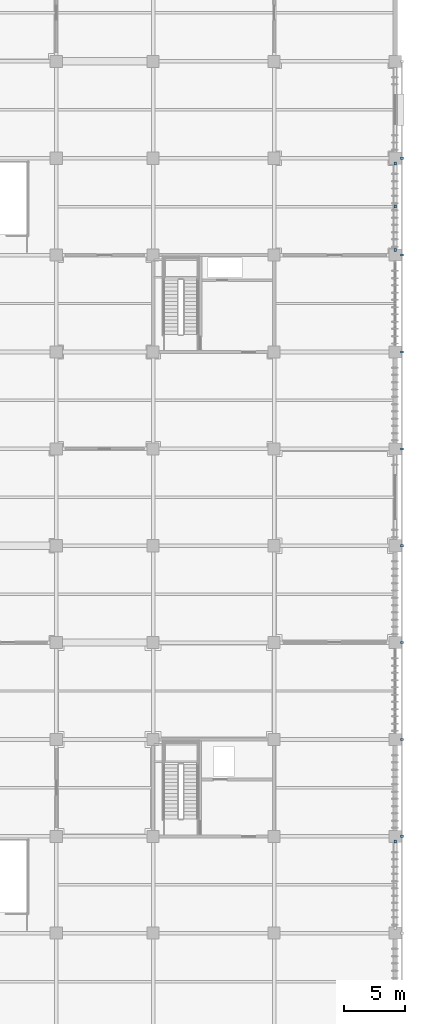
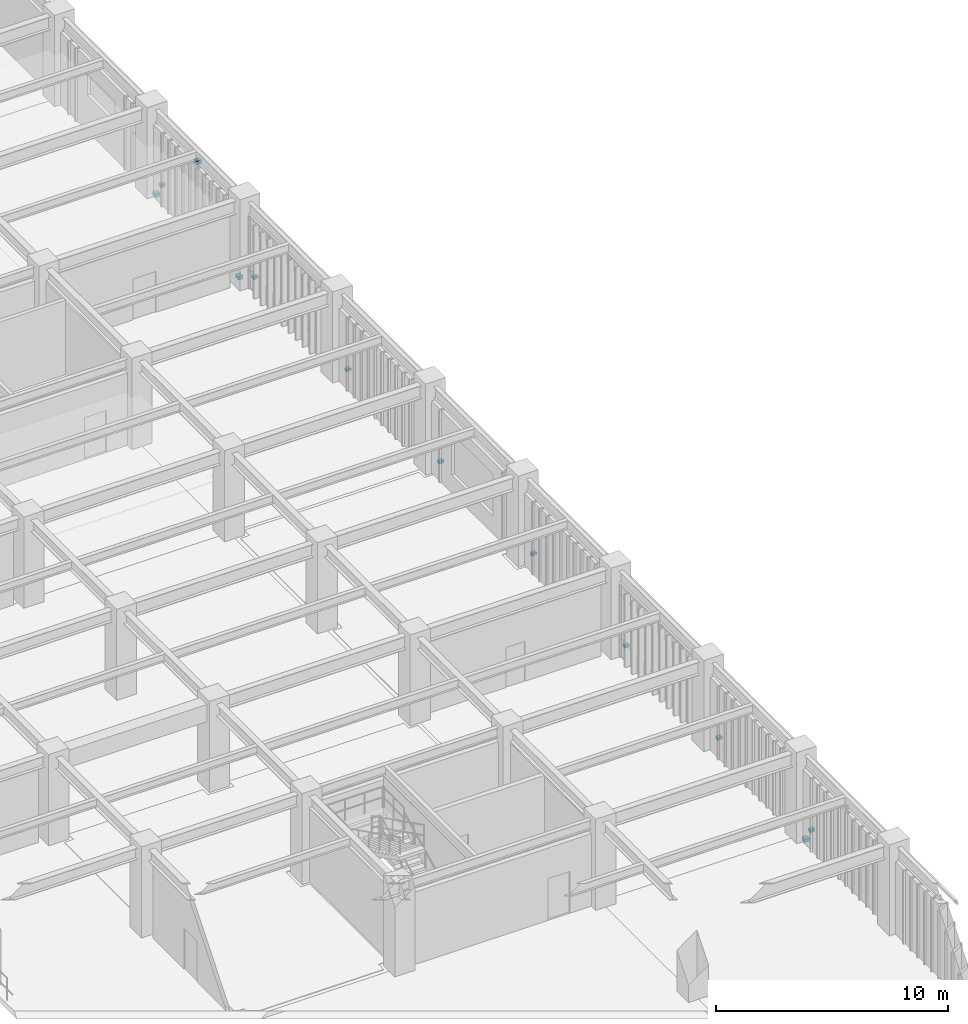
# One storey, part 93 of 117: 12 discrete accessories.
"""IFC4 building model written with IfcOpenShell, lengths in metres."""

from ifc_helpers import new_model, si_unit, direction, frame, origin, origin_2d, place, context, subcontext, project, spatial, rectangle, extrude, material, layer, layer_set, type_object, element, save


model = new_model("IFC4")

# Units and contexts
model_context = context("Model", 3, precision=1e-05, world=origin(), true_north=direction((0.0, 1.0)))
body_context = subcontext(model_context, "Body", "Model", "MODEL_VIEW")
ifc_project = project(units=[si_unit("LENGTHUNIT", "METRE"), si_unit("AREAUNIT", "SQUARE_METRE"), si_unit("VOLUMEUNIT", "CUBIC_METRE"), si_unit("PLANEANGLEUNIT", "RADIAN"), si_unit("MASSUNIT", "GRAM", prefix="KILO")], contexts=[model_context])

# Site, building, storey
site_placement = place(None, origin())
site = spatial("IfcSite", under=ifc_project, at=site_placement, CompositionType="ELEMENT")
building_placement = place(site_placement, origin())
building = spatial("IfcBuilding", under=site, at=building_placement, Name="Haebicheon Civic Stadium", CompositionType="ELEMENT")
storey_placement = place(building_placement, frame((0.0, 0.0, 4.800048828125)))
storey = spatial("IfcBuildingStorey", under=building, at=storey_placement, Name="L02", CompositionType="ELEMENT", Elevation=4.800048828125)

# Discrete accessories
ifc_material_1 = material(Name="White painted steel SM490", Category="steel")
ifc_layer_1 = layer(ifc_material_1, 0.179931640625, Name="White painted steel SM490")
ifc_layer_set_1 = layer_set([ifc_layer_1], Name="White painted steel SM490")
discrete_accessory_type_1 = type_object("IfcDiscreteAccessoryType", Name="BRK-END-PLT", PredefinedType="BRACKET", material=ifc_layer_set_1)
for number, where, z_axis, x_axis, name in (
    (1, (236.0, 63.580078125, -0.0498046875), (0.0, 0.0, 1.0), (1.0, 0.0, 0.0), "Brace L02-28-07 bolted end connection plate"),
    (2, (236.0, 112.419921875, -0.0498046875), (0.0, 0.0, 1.0), (1.0, 0.0, 0.0), "Brace L02-28-14 bolted end connection plate"),
    (3, (236.0, 119.580078125, -0.0498046875), (0.0, 0.0, 1.0), (1.0, 0.0, 0.0), "Brace L02-28-14 bolted end connection plate"),
    (4, (236.0, 116.0, 3.85009765625), (0.0, 0.0, 1.0), (1.0, 0.0, 0.0), "Brace L02-28-14 bolted end connection plate"),
):
    element("IfcDiscreteAccessory", number, at=place(storey_placement, frame(where, z_axis=z_axis, x_axis=x_axis)), inside=storey, type_object=discrete_accessory_type_1, material=ifc_layer_set_1, Name=name, PredefinedType="BRACKET", context=body_context, shape_type="SweptSolid", body=[
        extrude(rectangle(XDim=0.239990234375, YDim=0.239990234375, at=origin_2d()), origin(), (0.0, 0.0, 1.0), 0.179931640625),
    ])
ifc_material_2 = material(Name="Stainless steel 316", Category="steel")
ifc_layer_2 = layer(ifc_material_2, 0.139892578125, Name="Stainless steel 316")
ifc_layer_set_2 = layer_set([ifc_layer_2], Name="Stainless steel 316")
discrete_accessory_type_2 = type_object("IfcDiscreteAccessoryType", Name="BRK-LVR-CLEAT", PredefinedType="BRACKET", material=ifc_layer_set_2)
for number, where, z_axis, x_axis, name in (
    (5, (236.5400390625, 64.0, 0.009765625), (0.0, 0.0, 1.0), (1.0, 0.0, 0.0), "SCR-COMM L02 stainless bracket cleat 2B"),
    (6, (236.5400390625, 72.0, 0.009765625), (0.0, 0.0, 1.0), (1.0, 0.0, 0.0), "SCR-COMM L02 stainless bracket cleat 3B"),
    (7, (236.5400390625, 80.0, 0.009765625), (0.0, 0.0, 1.0), (1.0, 0.0, 0.0), "SCR-COMM L02 stainless bracket cleat 4B"),
    (8, (236.5400390625, 88.0, 0.009765625), (0.0, 0.0, 1.0), (1.0, 0.0, 0.0), "SCR-COMM L02 stainless bracket cleat 5B"),
    (9, (236.5400390625, 96.0, 0.009765625), (0.0, 0.0, 1.0), (1.0, 0.0, 0.0), "SCR-COMM L02 stainless bracket cleat 6B"),
    (10, (236.5400390625, 104.0, 0.009765625), (0.0, 0.0, 1.0), (1.0, 0.0, 0.0), "SCR-COMM L02 stainless bracket cleat 7B"),
    (11, (236.5400390625, 112.0, 0.009765625), (0.0, 0.0, 1.0), (1.0, 0.0, 0.0), "SCR-COMM L02 stainless bracket cleat 8B"),
    (12, (236.5400390625, 120.0, 0.009765625), (0.0, 0.0, 1.0), (1.0, 0.0, 0.0), "SCR-COMM L02 stainless bracket cleat 9B"),
):
    element("IfcDiscreteAccessory", number, at=place(storey_placement, frame(where, z_axis=z_axis, x_axis=x_axis)), inside=storey, type_object=discrete_accessory_type_2, material=ifc_layer_set_2, Name=name, PredefinedType="BRACKET", context=body_context, shape_type="SweptSolid", body=[
        extrude(rectangle(XDim=0.239990234375, YDim=0.179931640625, at=origin_2d()), origin(), (0.0, 0.0, 1.0), 0.139892578125),
    ])

save(model, "model.ifc")
